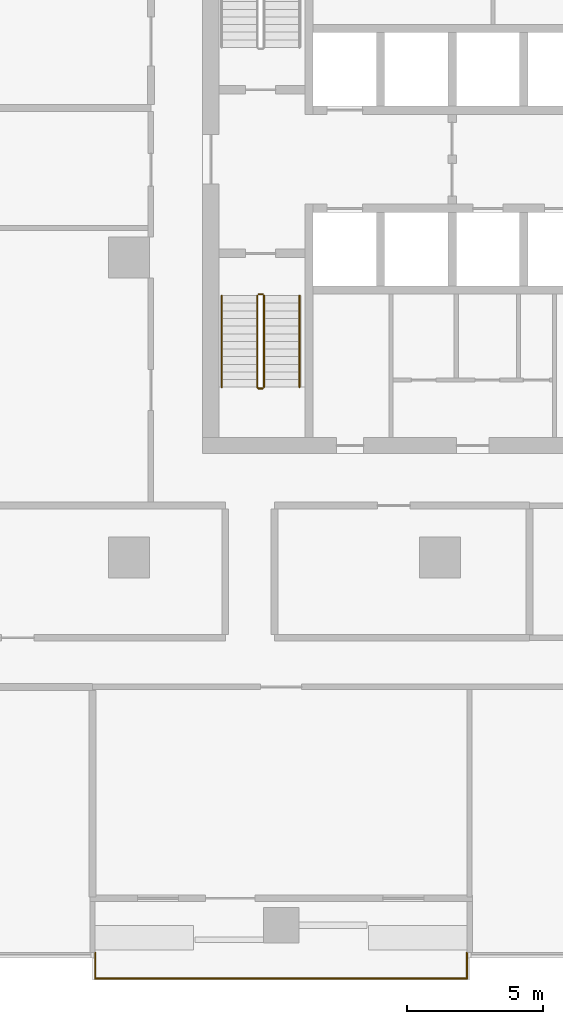
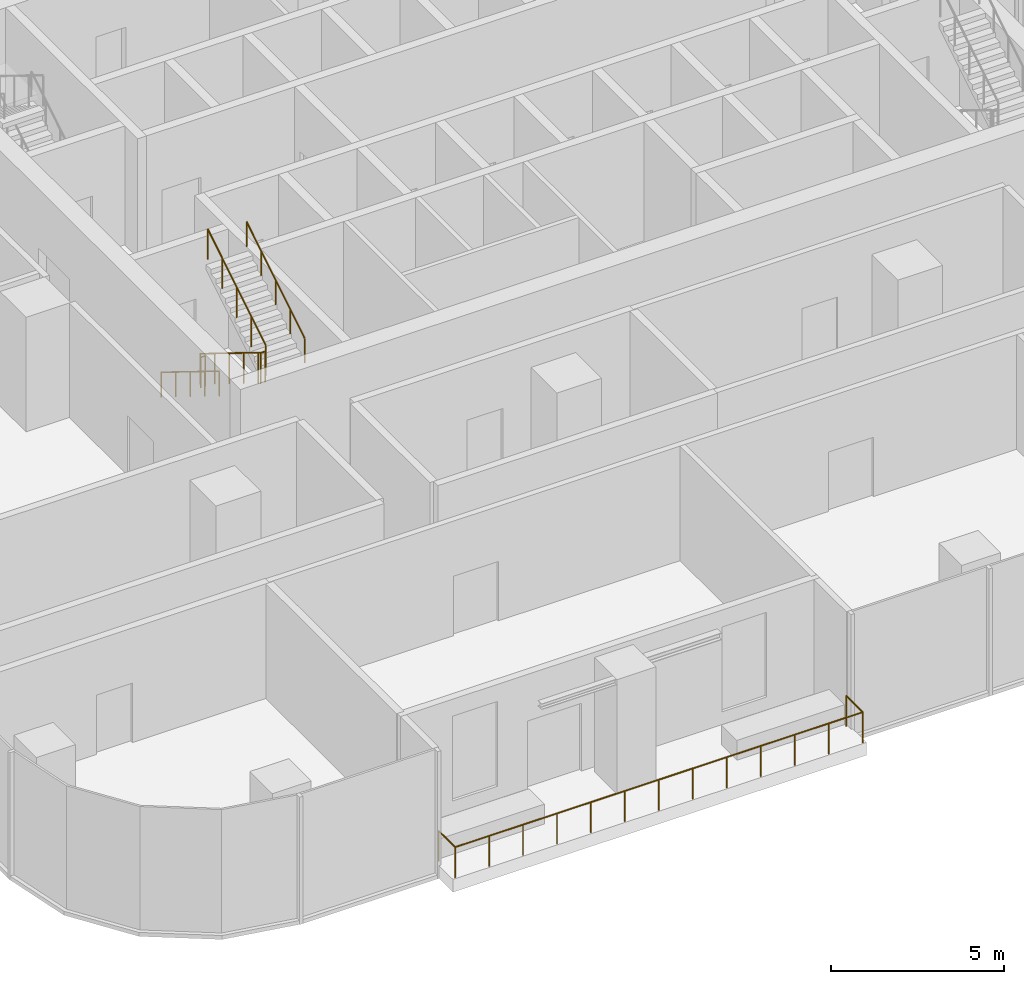
# One storey, part 12 of 14: 6 railings.
"""IFC4 building model written with IfcOpenShell, lengths in metres."""

from ifc_helpers import new_model, si_unit, direction, frame, origin, origin_2d, place, context, subcontext, project, spatial, circle, extrude, material, type_object, element, save


model = new_model("IFC4")

# Units and contexts
model_context = context("Model", 3, precision=1e-05, world=origin(), true_north=direction((0.0, 1.0)))
body_context = subcontext(model_context, "Body", "Model", "MODEL_VIEW")
ifc_project = project(units=[si_unit("LENGTHUNIT", "METRE"), si_unit("AREAUNIT", "SQUARE_METRE"), si_unit("VOLUMEUNIT", "CUBIC_METRE"), si_unit("PLANEANGLEUNIT", "RADIAN"), si_unit("MASSUNIT", "GRAM", prefix="KILO")], contexts=[model_context])

# Site, building, storey
site_placement = place(None, origin())
site = spatial("IfcSite", under=ifc_project, at=site_placement, CompositionType="ELEMENT")
building_placement = place(site_placement, origin())
building = spatial("IfcBuilding", under=site, at=building_placement, Name="Mopane Tessera Tower", CompositionType="ELEMENT")
storey_placement = place(building_placement, frame((0.0, 0.0, 139.60009765625)))
storey = spatial("IfcBuildingStorey", under=building, at=storey_placement, Name="L28", CompositionType="ELEMENT", Elevation=139.60009765625)

# Railings
ifc_material_1 = material(Name="Powder-coated steel balustrade", Category="steel")
railing_type_1 = type_object("IfcRailingType", Name="Escape stair guard 1100 mm", PredefinedType="GUARDRAIL", material=ifc_material_1)
railing_1_placement = place(storey_placement, frame((-12.39990234375, -1.39990234375, 0.173095703125)))
element("IfcRailing", 1, at=railing_1_placement, inside=storey, type_object=railing_type_1, Name="L28 ST1 stair guard 1", PredefinedType="GUARDRAIL", context=body_context, shape_type="SweptSolid", body=[
    extrude(circle(Radius=0.02392578125, at=origin_2d()), frame((0.0, 0.0, 1.076171875), z_axis=(0.0, -0.850623216509, 0.525775754039), x_axis=(1.0, 0.0, 0.0)), (0.0, 0.0, 1.0), 3.9501953125),
    extrude(circle(Radius=0.02392578125, at=origin_2d()), frame((0.0, -3.360107421875, 3.15283203125), z_axis=(0.705375805398, -0.708833529934, 0.0), x_axis=(0.708833529934, 0.705375805398, 0.0)), (0.0, 0.0, 1.0), 0.070556640625),
    extrude(circle(Radius=0.02392578125, at=origin_2d()), frame((0.0498046875, -3.41015625, 3.15283203125), z_axis=(1.0, 0.0, 0.0), x_axis=(0.0, 1.0, 0.0)), (0.0, 0.0, 1.0), 0.150146484375),
    extrude(circle(Radius=0.02099609375, at=origin_2d()), origin(), (0.0, 0.0, 1.0), 1.052001953125),
    extrude(circle(Radius=0.02099609375, at=origin_2d()), frame((0.0, -0.840087890625, 0.519287109375)), (0.0, 0.0, 1.0), 1.052001953125),
    extrude(circle(Radius=0.02099609375, at=origin_2d()), frame((0.0, -1.68017578125, 1.03857421875)), (0.0, 0.0, 1.0), 1.052001953125),
    extrude(circle(Radius=0.02099609375, at=origin_2d()), frame((0.0, -2.52001953125, 1.5576171875)), (0.0, 0.0, 1.0), 1.052001953125),
    extrude(circle(Radius=0.02099609375, at=origin_2d()), frame((0.0, -3.360107421875, 2.076904296875)), (0.0, 0.0, 1.0), 1.052001953125),
    extrude(circle(Radius=0.02099609375, at=origin_2d()), frame((0.0498046875, -3.41015625, 2.076904296875)), (0.0, 0.0, 1.0), 1.052001953125),
    extrude(circle(Radius=0.02099609375, at=origin_2d()), frame((0.199951171875, -3.41015625, 2.076904296875)), (0.0, 0.0, 1.0), 1.052001953125),
])
railing_2_placement = place(storey_placement, frame((-12.14990234375, -4.760009765625, 2.423095703125)))
element("IfcRailing", 2, at=railing_2_placement, inside=storey, type_object=railing_type_1, Name="L28 ST1 stair guard 2", PredefinedType="GUARDRAIL", context=body_context, shape_type="SweptSolid", body=[
    extrude(circle(Radius=0.02392578125, at=origin_2d()), frame((0.0, 0.0, 1.076171875), z_axis=(0.0, 0.850623216509, 0.525775754039), x_axis=(-1.0, 0.0, 0.0)), (0.0, 0.0, 1.0), 3.9501953125),
    extrude(circle(Radius=0.02099609375, at=origin_2d()), origin(), (0.0, 0.0, 1.0), 1.052001953125),
    extrude(circle(Radius=0.02099609375, at=origin_2d()), frame((0.0, 0.840087890625, 0.519287109375)), (0.0, 0.0, 1.0), 1.052001953125),
    extrude(circle(Radius=0.02099609375, at=origin_2d()), frame((0.0, 1.68017578125, 1.03857421875)), (0.0, 0.0, 1.0), 1.052001953125),
    extrude(circle(Radius=0.02099609375, at=origin_2d()), frame((0.0, 2.52001953125, 1.5576171875)), (0.0, 0.0, 1.0), 1.052001953125),
    extrude(circle(Radius=0.02099609375, at=origin_2d()), frame((0.0, 3.360107421875, 2.076904296875)), (0.0, 0.0, 1.0), 1.052001953125),
])
railing_3_placement = place(storey_placement, frame((-12.35009765625, -1.35009765625, 0.0)))
element("IfcRailing", 3, at=railing_3_placement, inside=storey, type_object=railing_type_1, Name="L28 ST1 stair guard 3", PredefinedType="GUARDRAIL", context=body_context, shape_type="SweptSolid", body=[
    extrude(circle(Radius=0.02392578125, at=origin_2d()), frame((0.0, 0.0, 1.076171875), z_axis=(1.0, 0.0, 0.0), x_axis=(0.0, 1.0, 0.0)), (0.0, 0.0, 1.0), 0.150146484375),
    extrude(circle(Radius=0.02099609375, at=origin_2d()), origin(), (0.0, 0.0, 1.0), 1.052001953125),
    extrude(circle(Radius=0.02099609375, at=origin_2d()), frame((0.150146484375, 0.0, 0.0)), (0.0, 0.0, 1.0), 1.052001953125),
])
ifc_material_2 = material(Name="Powder-coated steel balustrade", Category="steel")
railing_type_2 = type_object("IfcRailingType", Name="Escape stair handrail 900 mm", PredefinedType="HANDRAIL", material=ifc_material_2)
railing_4_placement = place(storey_placement, frame((-13.699951171875, -1.39990234375, 0.173095703125)))
element("IfcRailing", 4, at=railing_4_placement, inside=storey, type_object=railing_type_2, Name="L28 ST1 stair handrail 1", PredefinedType="HANDRAIL", context=body_context, shape_type="SweptSolid", body=[
    extrude(circle(Radius=0.02392578125, at=origin_2d()), frame((0.0, 0.0, 0.8759765625), z_axis=(0.0, -0.850623216509, 0.525775754039), x_axis=(1.0, 0.0, 0.0)), (0.0, 0.0, 1.0), 3.9501953125),
    extrude(circle(Radius=0.02099609375, at=origin_2d()), origin(), (0.0, 0.0, 1.0), 0.851806640625),
    extrude(circle(Radius=0.02099609375, at=origin_2d()), frame((0.0, -0.840087890625, 0.519287109375)), (0.0, 0.0, 1.0), 0.851806640625),
    extrude(circle(Radius=0.02099609375, at=origin_2d()), frame((0.0, -1.68017578125, 1.03857421875)), (0.0, 0.0, 1.0), 0.851806640625),
    extrude(circle(Radius=0.02099609375, at=origin_2d()), frame((0.0, -2.52001953125, 1.5576171875)), (0.0, 0.0, 1.0), 0.851806640625),
    extrude(circle(Radius=0.02099609375, at=origin_2d()), frame((0.0, -3.360107421875, 2.076904296875)), (0.0, 0.0, 1.0), 0.851806640625),
])
railing_5_placement = place(storey_placement, frame((-10.85009765625, -4.760009765625, 2.423095703125)))
element("IfcRailing", 5, at=railing_5_placement, inside=storey, type_object=railing_type_2, Name="L28 ST1 stair handrail 2", PredefinedType="HANDRAIL", context=body_context, shape_type="SweptSolid", body=[
    extrude(circle(Radius=0.02392578125, at=origin_2d()), frame((0.0, 0.0, 0.8759765625), z_axis=(0.0, 0.850623216509, 0.525775754039), x_axis=(-1.0, 0.0, 0.0)), (0.0, 0.0, 1.0), 3.9501953125),
    extrude(circle(Radius=0.02099609375, at=origin_2d()), origin(), (0.0, 0.0, 1.0), 0.851806640625),
    extrude(circle(Radius=0.02099609375, at=origin_2d()), frame((0.0, 0.840087890625, 0.519287109375)), (0.0, 0.0, 1.0), 0.851806640625),
    extrude(circle(Radius=0.02099609375, at=origin_2d()), frame((0.0, 1.68017578125, 1.03857421875)), (0.0, 0.0, 1.0), 0.851806640625),
    extrude(circle(Radius=0.02099609375, at=origin_2d()), frame((0.0, 2.52001953125, 1.5576171875)), (0.0, 0.0, 1.0), 0.851806640625),
    extrude(circle(Radius=0.02099609375, at=origin_2d()), frame((0.0, 3.360107421875, 2.076904296875)), (0.0, 0.0, 1.0), 0.851806640625),
])
ifc_material_3 = material(Name="Stainless steel S316", Category="steel")
railing_type_3 = type_object("IfcRailingType", Name="Terrace guard 1100", PredefinedType="GUARDRAIL", material=ifc_material_3)
railing_6_placement = place(storey_placement, frame((-18.340087890625, -25.5, 0.0)))
element("IfcRailing", 6, at=railing_6_placement, inside=storey, type_object=railing_type_3, Name="e:nw:L28:N2:guard", PredefinedType="GUARDRAIL", context=body_context, shape_type="SweptSolid", body=[
    extrude(circle(Radius=0.02392578125, at=origin_2d()), frame((0.0, 0.0, 1.076171875), z_axis=(0.0, -1.0, 0.0), x_axis=(1.0, 0.0, 0.0)), (0.0, 0.0, 1.0), 0.949951171875),
    extrude(circle(Radius=0.02392578125, at=origin_2d()), frame((0.0, -0.949951171875, 1.076171875), z_axis=(1.0, 0.0, 0.0), x_axis=(0.0, 1.0, 0.0)), (0.0, 0.0, 1.0), 13.630126953125),
    extrude(circle(Radius=0.02392578125, at=origin_2d()), frame((13.630126953125, -0.949951171875, 1.076171875), z_axis=(0.0, 1.0, 0.0), x_axis=(-1.0, 0.0, 0.0)), (0.0, 0.0, 1.0), 0.949951171875),
    extrude(circle(Radius=0.02099609375, at=origin_2d()), origin(), (0.0, 0.0, 1.0), 1.052001953125),
    extrude(circle(Radius=0.02099609375, at=origin_2d()), frame((0.0, -0.949951171875, 0.0)), (0.0, 0.0, 1.0), 1.052001953125),
    extrude(circle(Radius=0.02099609375, at=origin_2d()), frame((1.1357421875, -0.949951171875, 0.0)), (0.0, 0.0, 1.0), 1.052001953125),
    extrude(circle(Radius=0.02099609375, at=origin_2d()), frame((2.271728515625, -0.949951171875, 0.0)), (0.0, 0.0, 1.0), 1.052001953125),
    extrude(circle(Radius=0.02099609375, at=origin_2d()), frame((3.407470703125, -0.949951171875, 0.0)), (0.0, 0.0, 1.0), 1.052001953125),
    extrude(circle(Radius=0.02099609375, at=origin_2d()), frame((4.54345703125, -0.949951171875, 0.0)), (0.0, 0.0, 1.0), 1.052001953125),
    extrude(circle(Radius=0.02099609375, at=origin_2d()), frame((5.67919921875, -0.949951171875, 0.0)), (0.0, 0.0, 1.0), 1.052001953125),
    extrude(circle(Radius=0.02099609375, at=origin_2d()), frame((6.81494140625, -0.949951171875, 0.0)), (0.0, 0.0, 1.0), 1.052001953125),
    extrude(circle(Radius=0.02099609375, at=origin_2d()), frame((7.950927734375, -0.949951171875, 0.0)), (0.0, 0.0, 1.0), 1.052001953125),
    extrude(circle(Radius=0.02099609375, at=origin_2d()), frame((9.086669921875, -0.949951171875, 0.0)), (0.0, 0.0, 1.0), 1.052001953125),
    extrude(circle(Radius=0.02099609375, at=origin_2d()), frame((10.22265625, -0.949951171875, 0.0)), (0.0, 0.0, 1.0), 1.052001953125),
    extrude(circle(Radius=0.02099609375, at=origin_2d()), frame((11.3583984375, -0.949951171875, 0.0)), (0.0, 0.0, 1.0), 1.052001953125),
    extrude(circle(Radius=0.02099609375, at=origin_2d()), frame((12.494384765625, -0.949951171875, 0.0)), (0.0, 0.0, 1.0), 1.052001953125),
    extrude(circle(Radius=0.02099609375, at=origin_2d()), frame((13.630126953125, -0.949951171875, 0.0)), (0.0, 0.0, 1.0), 1.052001953125),
    extrude(circle(Radius=0.02099609375, at=origin_2d()), frame((13.630126953125, 0.0, 0.0)), (0.0, 0.0, 1.0), 1.052001953125),
])

save(model, "model.ifc")
